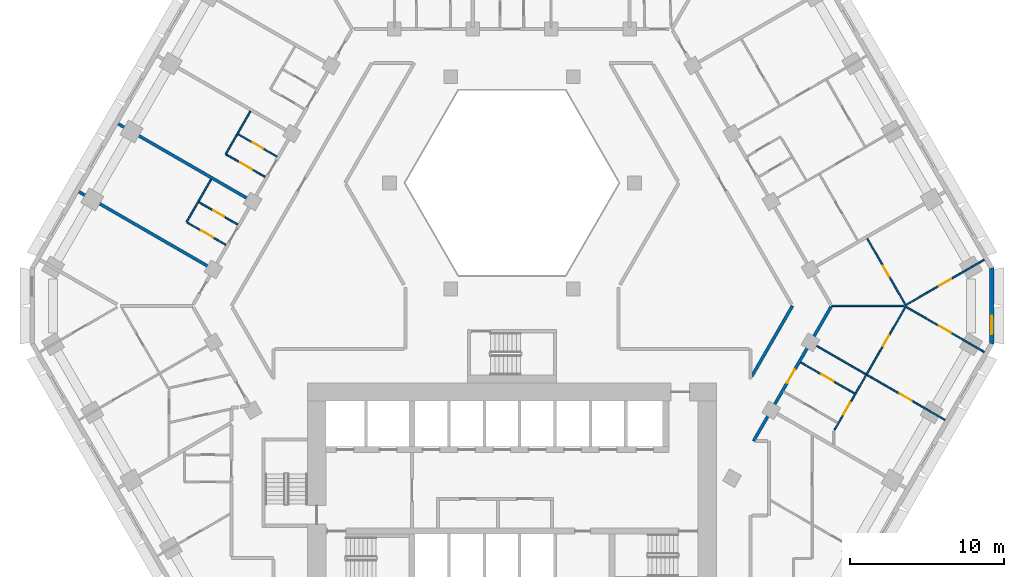
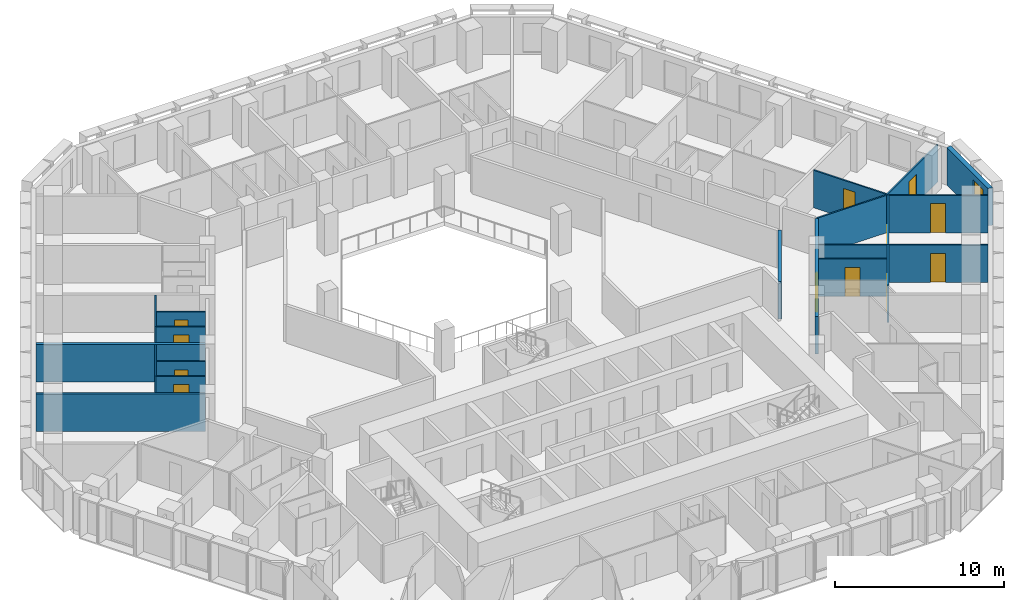
# One storey, part 7 of 16: 19 walls, 12 doors, 1 window, 13 openings.
"""IFC4 building model written with IfcOpenShell, lengths in metres."""

from ifc_helpers import new_model, si_unit, direction, frame, frame_2d, origin, place, context, subcontext, project, spatial, polyline, rectangle, outline, extrude, material, layer, layer_set, type_object, element, fill, save


model = new_model("IFC4")

# Units and contexts
model_context = context("Model", 3, precision=1e-05, world=origin(), true_north=direction((0.0, 1.0)))
body_context = subcontext(model_context, "Body", "Model", "MODEL_VIEW")
ifc_project = project(units=[si_unit("LENGTHUNIT", "METRE"), si_unit("AREAUNIT", "SQUARE_METRE"), si_unit("VOLUMEUNIT", "CUBIC_METRE"), si_unit("PLANEANGLEUNIT", "RADIAN"), si_unit("MASSUNIT", "GRAM", prefix="KILO")], contexts=[model_context])

# Site, building, storey
site_placement = place(None, origin())
site = spatial("IfcSite", under=ifc_project, at=site_placement, CompositionType="ELEMENT")
building_placement = place(site_placement, origin())
building = spatial("IfcBuilding", under=site, at=building_placement, Name="Beryl Residences", CompositionType="ELEMENT")
storey_placement = place(building_placement, frame((0.0, 0.0, 38.39990234375)))
storey = spatial("IfcBuildingStorey", under=building, at=storey_placement, Name="L11", CompositionType="ELEMENT", Elevation=38.39990234375)

# Wall, opening, window
ifc_material_1 = material(Name="Composite metal panel with mineral wool insulation")
ifc_layer_1 = layer(ifc_material_1, 0.300048828125)
ifc_layer_set_1 = layer_set([ifc_layer_1], Name="ES1 pale metal composite panel wall 300 mm")
wall_type_1 = type_object("IfcWallType", Name="ES1 pale metal composite panel wall 300 mm", PredefinedType="SOLIDWALL", material=ifc_layer_set_1)
wall_1_placement = place(storey_placement, frame((31.199951171875, -2.5, 0.0), z_axis=(0.0, 0.0, 1.0), x_axis=(0.0, 1.0, 0.0)))
wall_1 = element("IfcWall", 1, at=wall_1_placement, inside=storey, type_object=wall_type_1, Name="ES1 external wall L11 SE-NE", PredefinedType="SOLIDWALL", context=body_context, shape_type="SweptSolid", body=[
    extrude(outline(polyline([(0.0, -0.14990234375), (5.0, -0.14990234375), (4.919677734375, 0.14990234375), (0.080322265625, 0.14990234375), (0.0, -0.14990234375)])), origin(), (0.0, 0.0, 1.0), 2.7001953125),
])
opening_1_placement = place(wall_1_placement, frame((0.64990234375, 0.0, 0.14990234375)))
opening_1 = element("IfcOpeningElement", 2, at=opening_1_placement, cuts=wall_1, Name="Opening W2", PredefinedType="OPENING", context=body_context, shape_type="SweptSolid", body=[
    extrude(rectangle(XDim=1.199951171875, YDim=2.10009765625, at=frame_2d((0.60009765625, 1.050048828125))), frame((0.0, 0.159912109375, 0.0), z_axis=(0.0, -1.0, 0.0), x_axis=(1.0, 0.0, 0.0)), (0.0, 0.0, 1.0), 0.320068359375),
])
ifc_material_2 = material(Name="Aluminium and clear glass", Category="aluminium")
window_type = type_object("IfcWindowType", Name="W2 chamfer window 1200 x 2100 mm", PartitioningType="SINGLE_PANEL", PredefinedType="WINDOW", material=ifc_material_2)
window_placement = place(opening_1_placement, origin())
window = element("IfcWindow", 3, at=window_placement, inside=storey, type_object=window_type, Name="W2 window L11 SE-NE 1", OverallHeight=2.10009765625, OverallWidth=1.199951171875, PartitioningType="SINGLE_PANEL", PredefinedType="WINDOW", context=body_context, shape_type="SweptSolid", body=[
    extrude(rectangle(XDim=1.199951171875, YDim=2.10009765625, at=frame_2d((0.60009765625, 1.050048828125))), frame((0.0, 0.030029296875, 0.0), z_axis=(0.0, -1.0, 0.0), x_axis=(1.0, 0.0, 0.0)), (0.0, 0.0, 1.0), 0.06005859375),
])
fill(opening_1, window)

# Wall, opening, door
ifc_material_3 = material(Name="Gypsum board partition on steel studs", Category="steel")
ifc_layer_2 = layer(ifc_material_3, 0.10009765625)
ifc_layer_set_2 = layer_set([ifc_layer_2], Name="PT1 partition 100 mm gypsum board on steel studs")
wall_type_2 = type_object("IfcWallType", Name="PT1 partition 100 mm gypsum board on steel studs", PredefinedType="PARTITIONING", material=ifc_layer_set_2)
wall_2_placement = place(storey_placement, frame((23.10302734375, 4.384033203125, 0.0), z_axis=(0.0, 0.0, 1.0), x_axis=(0.500029609304, -0.86600830817, 0.0)))
wall_2 = element("IfcWall", 4, at=wall_2_placement, inside=storey, type_object=wall_type_2, Name="Wall PT1 L11 006", PredefinedType="PARTITIONING", context=body_context, shape_type="SweptSolid", body=[
    extrude(rectangle(XDim=4.953857421875, YDim=0.10009765625, at=frame_2d((2.47705078125, 0.0))), origin(), (0.0, 0.0, 1.0), 2.7001953125),
])
opening_2_placement = place(wall_2_placement, frame((2.052001953125, 0.0, 0.0)))
opening_2 = element("IfcOpeningElement", 5, at=opening_2_placement, cuts=wall_2, Name="Opening D0449", PredefinedType="OPENING", context=body_context, shape_type="SweptSolid", body=[
    extrude(rectangle(XDim=0.800048828125, YDim=2.10009765625, at=frame_2d((0.39990234375, 1.050048828125))), frame((0.0, 0.06005859375, 0.0), z_axis=(0.0, -1.0, 0.0), x_axis=(1.0, 0.0, 0.0)), (0.0, 0.0, 1.0), 0.1201171875),
])
ifc_material_4 = material(Name="Timber door leaf", Category="wood")
door_type_1 = type_object("IfcDoorType", Name="D3 bathroom door 800 x 2100 mm", OperationType="SINGLE_SWING_LEFT", PredefinedType="DOOR", material=ifc_material_4)
door_1_placement = place(opening_2_placement, origin())
door_1 = element("IfcDoor", 6, at=door_1_placement, inside=storey, type_object=door_type_1, Name="Door D0449 L11 001", OperationType="SINGLE_SWING_LEFT", OverallHeight=2.10009765625, OverallWidth=0.800048828125, PredefinedType="DOOR", context=body_context, shape_type="SweptSolid", body=[
    extrude(rectangle(XDim=0.800048828125, YDim=2.10009765625, at=frame_2d((0.39990234375, 1.050048828125))), frame((0.0, 0.02490234375, 0.0), z_axis=(0.0, -1.0, 0.0), x_axis=(1.0, 0.0, 0.0)), (0.0, 0.0, 1.0), 0.050048828125),
])
fill(opening_2, door_1)

wall_3_placement = place(storey_placement, frame((-20.364013671875, 6.7470703125, 0.0), z_axis=(0.0, 0.0, 1.0), x_axis=(0.866003949776, -0.500037157592, 0.0)))
wall_3 = element("IfcWall", 7, at=wall_3_placement, inside=storey, type_object=wall_type_2, Name="Wall PT1 L11 015", PredefinedType="PARTITIONING", context=body_context, shape_type="SweptSolid", body=[
    extrude(rectangle(XDim=2.909912109375, YDim=0.10009765625, at=frame_2d((1.455078125, 0.0))), origin(), (0.0, 0.0, 1.0), 2.7001953125),
])
opening_3_placement = place(wall_3_placement, frame((1.080078125, 0.0, 0.0)))
opening_3 = element("IfcOpeningElement", 8, at=opening_3_placement, cuts=wall_3, Name="Opening D0410", PredefinedType="OPENING", context=body_context, shape_type="SweptSolid", body=[
    extrude(rectangle(XDim=0.800048828125, YDim=2.10009765625, at=frame_2d((0.39990234375, 1.050048828125))), frame((0.0, 0.06005859375, 0.0), z_axis=(0.0, -1.0, 0.0), x_axis=(1.0, 0.0, 0.0)), (0.0, 0.0, 1.0), 0.1201171875),
])
door_2_placement = place(opening_3_placement, origin())
door_2 = element("IfcDoor", 9, at=door_2_placement, inside=storey, type_object=door_type_1, Name="Door D0410 L11 001", OperationType="SINGLE_SWING_RIGHT", OverallHeight=2.10009765625, OverallWidth=0.800048828125, PredefinedType="DOOR", context=body_context, shape_type="SweptSolid", body=[
    extrude(rectangle(XDim=0.800048828125, YDim=2.10009765625, at=frame_2d((0.39990234375, 1.050048828125))), frame((0.0, 0.02490234375, 0.0), z_axis=(0.0, -1.0, 0.0), x_axis=(1.0, 0.0, 0.0)), (0.0, 0.0, 1.0), 0.050048828125),
])
fill(opening_3, door_2)

wall_4_placement = place(storey_placement, frame((-21.12890625, 5.4208984375, 0.0), z_axis=(0.0, 0.0, 1.0), x_axis=(0.865935355752, -0.500155935342, 0.0)))
wall_4 = element("IfcWall", 10, at=wall_4_placement, inside=storey, type_object=wall_type_2, Name="Wall PT1 L11 016", PredefinedType="PARTITIONING", context=body_context, shape_type="SweptSolid", body=[
    extrude(rectangle(XDim=2.90869140625, YDim=0.10009765625, at=frame_2d((1.454345703125, 0.0))), origin(), (0.0, 0.0, 1.0), 2.7001953125),
])
opening_4_placement = place(wall_4_placement, frame((1.029052734375, 0.0, 0.0)))
opening_4 = element("IfcOpeningElement", 11, at=opening_4_placement, cuts=wall_4, Name="Opening D0409", PredefinedType="OPENING", context=body_context, shape_type="SweptSolid", body=[
    extrude(rectangle(XDim=0.89990234375, YDim=2.10009765625, at=frame_2d((0.449951171875, 1.050048828125))), frame((0.0, 0.06005859375, 0.0), z_axis=(0.0, -1.0, 0.0), x_axis=(1.0, 0.0, 0.0)), (0.0, 0.0, 1.0), 0.1201171875),
])
ifc_material_5 = material(Name="Timber door leaf", Category="wood")
door_type_2 = type_object("IfcDoorType", Name="D2 room door 900 x 2100 mm", OperationType="SINGLE_SWING_LEFT", PredefinedType="DOOR", material=ifc_material_5)
door_3_placement = place(opening_4_placement, origin())
door_3 = element("IfcDoor", 12, at=door_3_placement, inside=storey, type_object=door_type_2, Name="Door D0409 L11 001", OperationType="SINGLE_SWING_LEFT", OverallHeight=2.10009765625, OverallWidth=0.89990234375, PredefinedType="DOOR", context=body_context, shape_type="SweptSolid", body=[
    extrude(rectangle(XDim=0.89990234375, YDim=2.10009765625, at=frame_2d((0.449951171875, 1.050048828125))), frame((0.0, 0.02490234375, 0.0), z_axis=(0.0, -1.0, 0.0), x_axis=(1.0, 0.0, 0.0)), (0.0, 0.0, 1.0), 0.050048828125),
])
fill(opening_4, door_3)

wall_5_placement = place(storey_placement, frame((-18.576904296875, 9.841064453125, 0.0), z_axis=(0.0, 0.0, 1.0), x_axis=(0.865899003441, -0.500218867937, 0.0)))
wall_5 = element("IfcWall", 13, at=wall_5_placement, inside=storey, type_object=wall_type_2, Name="Wall PT1 L11 018", PredefinedType="PARTITIONING", context=body_context, shape_type="SweptSolid", body=[
    extrude(rectangle(XDim=2.908935546875, YDim=0.10009765625, at=frame_2d((1.45458984375, 0.0))), origin(), (0.0, 0.0, 1.0), 2.7001953125),
])
opening_5_placement = place(wall_5_placement, frame((1.029052734375, 0.0, 0.0)))
opening_5 = element("IfcOpeningElement", 14, at=opening_5_placement, cuts=wall_5, Name="Opening D0406", PredefinedType="OPENING", context=body_context, shape_type="SweptSolid", body=[
    extrude(rectangle(XDim=0.89990234375, YDim=2.10009765625, at=frame_2d((0.449951171875, 1.050048828125))), frame((0.0, 0.06005859375, 0.0), z_axis=(0.0, -1.0, 0.0), x_axis=(1.0, 0.0, 0.0)), (0.0, 0.0, 1.0), 0.1201171875),
])
door_4_placement = place(opening_5_placement, origin())
door_4 = element("IfcDoor", 15, at=door_4_placement, inside=storey, type_object=door_type_2, Name="Door D0406 L11 001", OperationType="SINGLE_SWING_RIGHT", OverallHeight=2.10009765625, OverallWidth=0.89990234375, PredefinedType="DOOR", context=body_context, shape_type="SweptSolid", body=[
    extrude(rectangle(XDim=0.89990234375, YDim=2.10009765625, at=frame_2d((0.449951171875, 1.050048828125))), frame((0.0, 0.02490234375, 0.0), z_axis=(0.0, -1.0, 0.0), x_axis=(1.0, 0.0, 0.0)), (0.0, 0.0, 1.0), 0.050048828125),
])
fill(opening_5, door_4)

wall_6_placement = place(storey_placement, frame((18.777099609375, -3.677001953125, 0.0), z_axis=(0.0, 0.0, 1.0), x_axis=(0.866000843773, -0.500042536776, 0.0)))
wall_6 = element("IfcWall", 16, at=wall_6_placement, inside=storey, type_object=wall_type_2, Name="Wall PT1 L11 023", PredefinedType="PARTITIONING", context=body_context, shape_type="SweptSolid", body=[
    extrude(rectangle(XDim=4.049560546875, YDim=0.10009765625, at=frame_2d((2.02490234375, 0.0))), origin(), (0.0, 0.0, 1.0), 2.7001953125),
])
opening_6_placement = place(wall_6_placement, frame((1.550048828125, 0.0, 0.0)))
opening_6 = element("IfcOpeningElement", 17, at=opening_6_placement, cuts=wall_6, Name="Opening D0443", PredefinedType="OPENING", context=body_context, shape_type="SweptSolid", body=[
    extrude(rectangle(XDim=0.89990234375, YDim=2.10009765625, at=frame_2d((0.449951171875, 1.050048828125))), frame((0.0, 0.06005859375, 0.0), z_axis=(0.0, -1.0, 0.0), x_axis=(1.0, 0.0, 0.0)), (0.0, 0.0, 1.0), 0.1201171875),
])
door_5_placement = place(opening_6_placement, origin())
door_5 = element("IfcDoor", 18, at=door_5_placement, inside=storey, type_object=door_type_2, Name="Door D0443 L11 001", OperationType="SINGLE_SWING_LEFT", OverallHeight=2.10009765625, OverallWidth=0.89990234375, PredefinedType="DOOR", context=body_context, shape_type="SweptSolid", body=[
    extrude(rectangle(XDim=0.89990234375, YDim=2.10009765625, at=frame_2d((0.449951171875, 1.050048828125))), frame((0.0, 0.02490234375, 0.0), z_axis=(0.0, -1.0, 0.0), x_axis=(1.0, 0.0, 0.0)), (0.0, 0.0, 1.0), 0.050048828125),
])
fill(opening_6, door_5)

wall_7_placement = place(storey_placement, frame((-17.81298828125, 11.1669921875, 0.0), z_axis=(0.0, 0.0, 1.0), x_axis=(0.866087824531, -0.499891868507, 0.0)))
wall_7 = element("IfcWall", 19, at=wall_7_placement, inside=storey, type_object=wall_type_2, Name="Wall PT1 L11 024", PredefinedType="PARTITIONING", context=body_context, shape_type="SweptSolid", body=[
    extrude(rectangle(XDim=2.910888671875, YDim=0.10009765625, at=frame_2d((1.45556640625, 0.0))), origin(), (0.0, 0.0, 1.0), 2.7001953125),
])
opening_7_placement = place(wall_7_placement, frame((1.080078125, 0.0, 0.0)))
opening_7 = element("IfcOpeningElement", 20, at=opening_7_placement, cuts=wall_7, Name="Opening D0407", PredefinedType="OPENING", context=body_context, shape_type="SweptSolid", body=[
    extrude(rectangle(XDim=0.800048828125, YDim=2.10009765625, at=frame_2d((0.39990234375, 1.050048828125))), frame((0.0, 0.06005859375, 0.0), z_axis=(0.0, -1.0, 0.0), x_axis=(1.0, 0.0, 0.0)), (0.0, 0.0, 1.0), 0.1201171875),
])
door_6_placement = place(opening_7_placement, origin())
door_6 = element("IfcDoor", 21, at=door_6_placement, inside=storey, type_object=door_type_1, Name="Door D0407 L11 001", OperationType="SINGLE_SWING_LEFT", OverallHeight=2.10009765625, OverallWidth=0.800048828125, PredefinedType="DOOR", context=body_context, shape_type="SweptSolid", body=[
    extrude(rectangle(XDim=0.800048828125, YDim=2.10009765625, at=frame_2d((0.39990234375, 1.050048828125))), frame((0.0, 0.02490234375, 0.0), z_axis=(0.0, -1.0, 0.0), x_axis=(1.0, 0.0, 0.0)), (0.0, 0.0, 1.0), 0.050048828125),
])
fill(opening_7, door_6)

wall_8_placement = place(storey_placement, frame((19.5029296875, -2.4189453125, 0.0), z_axis=(0.0, 0.0, 1.0), x_axis=(0.866047370643, -0.499961950354, 0.0)))
wall_8 = element("IfcWall", 22, at=wall_8_placement, inside=storey, type_object=wall_type_2, Name="Wall PT1 L11 025", PredefinedType="PARTITIONING", context=body_context, shape_type="SweptSolid", body=[
    extrude(rectangle(XDim=10.000732421875, YDim=0.10009765625, at=frame_2d((5.00048828125, 0.0))), origin(), (0.0, 0.0, 1.0), 2.7001953125),
])
opening_8_placement = place(wall_8_placement, frame((6.60009765625, 0.0, 0.0)))
opening_8 = element("IfcOpeningElement", 23, at=opening_8_placement, cuts=wall_8, Name="Opening D0445", PredefinedType="OPENING", context=body_context, shape_type="SweptSolid", body=[
    extrude(rectangle(XDim=0.89990234375, YDim=2.10009765625, at=frame_2d((0.449951171875, 1.050048828125))), frame((0.0, 0.06005859375, 0.0), z_axis=(0.0, -1.0, 0.0), x_axis=(1.0, 0.0, 0.0)), (0.0, 0.0, 1.0), 0.1201171875),
])
door_7_placement = place(opening_8_placement, origin())
door_7 = element("IfcDoor", 24, at=door_7_placement, inside=storey, type_object=door_type_2, Name="Door D0445 L11 001", OperationType="SINGLE_SWING_LEFT", OverallHeight=2.10009765625, OverallWidth=0.89990234375, PredefinedType="DOOR", context=body_context, shape_type="SweptSolid", body=[
    extrude(rectangle(XDim=0.89990234375, YDim=2.10009765625, at=frame_2d((0.449951171875, 1.050048828125))), frame((0.0, 0.02490234375, 0.0), z_axis=(0.0, -1.0, 0.0), x_axis=(1.0, 0.0, 0.0)), (0.0, 0.0, 1.0), 0.050048828125),
])
fill(opening_8, door_7)

wall_9_placement = place(storey_placement, frame((25.64892578125, -0.073974609375, 0.0), z_axis=(0.0, 0.0, 1.0), x_axis=(0.866059819573, -0.499940385368, 0.0)))
wall_9 = element("IfcWall", 25, at=wall_9_placement, inside=storey, type_object=wall_type_2, Name="Wall PT1 L11 026", PredefinedType="PARTITIONING", context=body_context, shape_type="SweptSolid", body=[
    extrude(rectangle(XDim=5.850830078125, YDim=0.10009765625, at=frame_2d((2.92529296875, 0.0))), origin(), (0.0, 0.0, 1.0), 2.7001953125),
])
opening_9_placement = place(wall_9_placement, frame((2.449951171875, 0.0, 0.0)))
opening_9 = element("IfcOpeningElement", 26, at=opening_9_placement, cuts=wall_9, Name="Opening D0446", PredefinedType="OPENING", context=body_context, shape_type="SweptSolid", body=[
    extrude(rectangle(XDim=0.89990234375, YDim=2.10009765625, at=frame_2d((0.449951171875, 1.050048828125))), frame((0.0, 0.06005859375, 0.0), z_axis=(0.0, -1.0, 0.0), x_axis=(1.0, 0.0, 0.0)), (0.0, 0.0, 1.0), 0.1201171875),
])
door_8_placement = place(opening_9_placement, origin())
door_8 = element("IfcDoor", 27, at=door_8_placement, inside=storey, type_object=door_type_2, Name="Door D0446 L11 001", OperationType="SINGLE_SWING_RIGHT", OverallHeight=2.10009765625, OverallWidth=0.89990234375, PredefinedType="DOOR", context=body_context, shape_type="SweptSolid", body=[
    extrude(rectangle(XDim=0.89990234375, YDim=2.10009765625, at=frame_2d((0.449951171875, 1.050048828125))), frame((0.0, 0.02490234375, 0.0), z_axis=(0.0, -1.0, 0.0), x_axis=(1.0, 0.0, 0.0)), (0.0, 0.0, 1.0), 0.050048828125),
])
fill(opening_9, door_8)

# Wall
wall_10_placement = place(storey_placement, frame((20.783935546875, 0.0009765625, 0.0), z_axis=(0.0, 0.0, 1.0), x_axis=(1.0, 0.0, 0.0)))
element("IfcWall", 28, at=wall_10_placement, inside=storey, type_object=wall_type_2, Name="Wall PT1 L11 034", PredefinedType="PARTITIONING", context=body_context, shape_type="SweptSolid", body=[
    extrude(rectangle(XDim=4.736083984375, YDim=0.10009765625, at=frame_2d((2.3681640625, 0.0))), origin(), (0.0, 0.0, 1.0), 2.7001953125),
])

# Wall, opening, door
wall_11_placement = place(storey_placement, frame((20.97802734375, -8.06494140625, 0.0), z_axis=(0.0, 0.0, 1.0), x_axis=(0.499965068118, 0.866045570776, 0.0)))
wall_11 = element("IfcWall", 29, at=wall_11_placement, inside=storey, type_object=wall_type_2, Name="Wall PT1 L11 040", PredefinedType="PARTITIONING", context=body_context, shape_type="SweptSolid", body=[
    extrude(rectangle(XDim=4.152099609375, YDim=0.10009765625, at=frame_2d((2.076171875, 0.0))), origin(), (0.0, 0.0, 1.0), 2.7001953125),
])
opening_10_placement = place(wall_11_placement, frame((1.14990234375, 0.0, 0.0)))
opening_10 = element("IfcOpeningElement", 30, at=opening_10_placement, cuts=wall_11, Name="Opening D0444", PredefinedType="OPENING", context=body_context, shape_type="SweptSolid", body=[
    extrude(rectangle(XDim=0.89990234375, YDim=2.10009765625, at=frame_2d((0.449951171875, 1.050048828125))), frame((0.0, 0.06005859375, 0.0), z_axis=(0.0, -1.0, 0.0), x_axis=(1.0, 0.0, 0.0)), (0.0, 0.0, 1.0), 0.1201171875),
])
door_9_placement = place(opening_10_placement, origin())
door_9 = element("IfcDoor", 31, at=door_9_placement, inside=storey, type_object=door_type_2, Name="Door D0444 L11 001", OperationType="SINGLE_SWING_RIGHT", OverallHeight=2.10009765625, OverallWidth=0.89990234375, PredefinedType="DOOR", context=body_context, shape_type="SweptSolid", body=[
    extrude(rectangle(XDim=0.89990234375, YDim=2.10009765625, at=frame_2d((0.449951171875, 1.050048828125))), frame((0.0, 0.02490234375, 0.0), z_axis=(0.0, -1.0, 0.0), x_axis=(1.0, 0.0, 0.0)), (0.0, 0.0, 1.0), 0.050048828125),
])
fill(opening_10, door_9)

# Walls
wall_12_placement = place(storey_placement, frame((-21.173095703125, 5.447021484375, 0.0), z_axis=(0.0, 0.0, 1.0), x_axis=(0.500162542782, 0.865931539325, 0.0)))
element("IfcWall", 32, at=wall_12_placement, inside=storey, type_object=wall_type_2, Name="Wall PT1 L11 042", PredefinedType="PARTITIONING", context=body_context, shape_type="SweptSolid", body=[
    extrude(rectangle(XDim=3.21728515625, YDim=0.10009765625, at=frame_2d((1.608642578125, 0.0))), origin(), (0.0, 0.0, 1.0), 2.7001953125),
])
wall_13_placement = place(storey_placement, frame((-18.62109375, 9.866943359375, 0.0), z_axis=(0.0, 0.0, 1.0), x_axis=(0.500197891286, 0.865911121047, 0.0)))
element("IfcWall", 33, at=wall_13_placement, inside=storey, type_object=wall_type_2, Name="Wall PT1 L11 043", PredefinedType="PARTITIONING", context=body_context, shape_type="SweptSolid", body=[
    extrude(rectangle(XDim=3.215087890625, YDim=0.10009765625, at=frame_2d((1.607421875, 0.0))), origin(), (0.0, 0.0, 1.0), 2.7001953125),
])

# Wall, opening, door
wall_14_placement = place(storey_placement, frame((25.587890625, 0.041015625, 0.0), z_axis=(0.0, 0.0, 1.0), x_axis=(0.866113484451, 0.499847408768, 0.0)))
wall_14 = element("IfcWall", 34, at=wall_14_placement, inside=storey, type_object=wall_type_2, Name="Wall PT1 L11 063", PredefinedType="PARTITIONING", context=body_context, shape_type="SweptSolid", body=[
    extrude(rectangle(XDim=5.919677734375, YDim=0.10009765625, at=frame_2d((2.9599609375, 0.0))), origin(), (0.0, 0.0, 1.0), 2.7001953125),
])
opening_11_placement = place(wall_14_placement, frame((2.510009765625, 0.0, 0.0)))
opening_11 = element("IfcOpeningElement", 35, at=opening_11_placement, cuts=wall_14, Name="Opening D0447", PredefinedType="OPENING", context=body_context, shape_type="SweptSolid", body=[
    extrude(rectangle(XDim=0.89990234375, YDim=2.10009765625, at=frame_2d((0.449951171875, 1.050048828125))), frame((0.0, 0.06005859375, 0.0), z_axis=(0.0, -1.0, 0.0), x_axis=(1.0, 0.0, 0.0)), (0.0, 0.0, 1.0), 0.1201171875),
])
door_10_placement = place(opening_11_placement, origin())
door_10 = element("IfcDoor", 36, at=door_10_placement, inside=storey, type_object=door_type_2, Name="Door D0447 L11 001", OperationType="SINGLE_SWING_LEFT", OverallHeight=2.10009765625, OverallWidth=0.89990234375, PredefinedType="DOOR", context=body_context, shape_type="SweptSolid", body=[
    extrude(rectangle(XDim=0.89990234375, YDim=2.10009765625, at=frame_2d((0.449951171875, 1.050048828125))), frame((0.0, 0.02490234375, 0.0), z_axis=(0.0, -1.0, 0.0), x_axis=(1.0, 0.0, 0.0)), (0.0, 0.0, 1.0), 0.050048828125),
])
fill(opening_11, door_10)

wall_15_placement = place(storey_placement, frame((23.053955078125, -4.468994140625, 0.0), z_axis=(0.0, 0.0, 1.0), x_axis=(0.500023345639, 0.866011924754, 0.0)))
wall_15 = element("IfcWall", 37, at=wall_15_placement, inside=storey, type_object=wall_type_2, Name="Wall PT1 L11 074", PredefinedType="PARTITIONING", context=body_context, shape_type="SweptSolid", body=[
    extrude(rectangle(XDim=5.103759765625, YDim=0.10009765625, at=frame_2d((2.5517578125, 0.0))), origin(), (0.0, 0.0, 1.0), 2.7001953125),
])
opening_12_placement = place(wall_15_placement, frame((2.152099609375, 0.0, 0.0)))
opening_12 = element("IfcOpeningElement", 38, at=opening_12_placement, cuts=wall_15, Name="Opening D0448", PredefinedType="OPENING", context=body_context, shape_type="SweptSolid", body=[
    extrude(rectangle(XDim=0.800048828125, YDim=2.10009765625, at=frame_2d((0.39990234375, 1.050048828125))), frame((0.0, 0.06005859375, 0.0), z_axis=(0.0, -1.0, 0.0), x_axis=(1.0, 0.0, 0.0)), (0.0, 0.0, 1.0), 0.1201171875),
])
door_11_placement = place(opening_12_placement, origin())
door_11 = element("IfcDoor", 39, at=door_11_placement, inside=storey, type_object=door_type_1, Name="Door D0448 L11 001", OperationType="SINGLE_SWING_RIGHT", OverallHeight=2.10009765625, OverallWidth=0.800048828125, PredefinedType="DOOR", context=body_context, shape_type="SweptSolid", body=[
    extrude(rectangle(XDim=0.800048828125, YDim=2.10009765625, at=frame_2d((0.39990234375, 1.050048828125))), frame((0.0, 0.02490234375, 0.0), z_axis=(0.0, -1.0, 0.0), x_axis=(1.0, 0.0, 0.0)), (0.0, 0.0, 1.0), 0.050048828125),
])
fill(opening_12, door_11)

# Walls
ifc_material_6 = material(Name="Acoustic double stud gypsum board wall")
ifc_layer_3 = layer(ifc_material_6, 0.199951171875)
ifc_layer_set_3 = layer_set([ifc_layer_3], Name="PT3 party wall 200 mm acoustic double stud")
wall_type_3 = type_object("IfcWallType", Name="PT3 party wall 200 mm acoustic double stud", PredefinedType="PARTITIONING", material=ifc_layer_set_3)
for number, where, z_axis, x_axis, name in (
    (40, (-28.1630859375, 7.4189453125, 0.0), (0.0, 0.0, 1.0), (0.866022959057, -0.500004234368, 0.0), "Wall PT3 L11 005"),
    (41, (-25.611083984375, 11.839111328125, 0.0), (0.0, 0.0, 1.0), (0.866022959057, -0.500004234368, 0.0), "Wall PT3 L11 007"),
):
    element("IfcWall", number, at=place(storey_placement, frame(where, z_axis=z_axis, x_axis=x_axis)), inside=storey, type_object=wall_type_3, Name=name, PredefinedType="PARTITIONING", context=body_context, shape_type="SweptSolid", body=[
        extrude(rectangle(XDim=10.0, YDim=0.199951171875, at=frame_2d((5.0, 0.0))), origin(), (0.0, 0.0, 1.0), 2.7001953125),
    ])
ifc_material_7 = material(Name="Double stud gypsum board wall")
ifc_layer_4 = layer(ifc_material_7, 0.199951171875)
ifc_layer_set_4 = layer_set([ifc_layer_4], Name="PT4 corridor wall 200 mm double stud")
wall_type_4 = type_object("IfcWallType", Name="PT4 corridor wall 200 mm double stud", PredefinedType="PARTITIONING", material=ifc_layer_set_4)
wall_16_placement = place(storey_placement, frame((15.60009765625, -4.5791015625, 0.0), z_axis=(0.0, 0.0, 1.0), x_axis=(0.499927597274, 0.866067201483, 0.0)))
element("IfcWall", 42, at=wall_16_placement, inside=storey, type_object=wall_type_4, Name="Wall PT4 L11 020", PredefinedType="PARTITIONING", context=body_context, shape_type="SweptSolid", body=[
    extrude(rectangle(XDim=5.288330078125, YDim=0.199951171875, at=frame_2d((2.64404296875, 0.0))), origin(), (0.0, 0.0, 1.0), 2.7001953125),
])

# Wall, opening, door
wall_17_placement = place(storey_placement, frame((15.70703125, -8.7939453125, 0.0), z_axis=(0.0, 0.0, 1.0), x_axis=(0.500016151272, 0.866016078642, 0.0)))
wall_17 = element("IfcWall", 43, at=wall_17_placement, inside=storey, type_object=wall_type_4, Name="Wall PT4 L11 021", PredefinedType="PARTITIONING", context=body_context, shape_type="SweptSolid", body=[
    extrude(rectangle(XDim=10.097900390625, YDim=0.199951171875, at=frame_2d((5.048828125, 0.0))), origin(), (0.0, 0.0, 1.0), 2.7001953125),
])
opening_13_placement = place(wall_17_placement, frame((4.366943359375, 0.0, 0.0)))
opening_13 = element("IfcOpeningElement", 44, at=opening_13_placement, cuts=wall_17, Name="Opening D0441", PredefinedType="OPENING", context=body_context, shape_type="SweptSolid", body=[
    extrude(rectangle(XDim=1.0, YDim=2.10009765625, at=frame_2d((0.5, 1.050048828125))), frame((0.0, 0.10986328125, 0.0), z_axis=(0.0, -1.0, 0.0), x_axis=(1.0, 0.0, 0.0)), (0.0, 0.0, 1.0), 0.219970703125),
])
ifc_material_8 = material(Name="Timber door leaf", Category="wood")
door_type_3 = type_object("IfcDoorType", Name="D1 flat entrance door 1000 x 2100 mm", OperationType="SINGLE_SWING_LEFT", PredefinedType="DOOR", material=ifc_material_8)
door_12_placement = place(opening_13_placement, origin())
door_12 = element("IfcDoor", 45, at=door_12_placement, inside=storey, type_object=door_type_3, Name="Door D0441 L11 001", OperationType="SINGLE_SWING_LEFT", OverallHeight=2.10009765625, OverallWidth=1.0, PredefinedType="DOOR", context=body_context, shape_type="SweptSolid", body=[
    extrude(rectangle(XDim=1.0, YDim=2.10009765625, at=frame_2d((0.5, 1.050048828125))), frame((0.0, 0.02490234375, 0.0), z_axis=(0.0, -1.0, 0.0), x_axis=(1.0, 0.0, 0.0)), (0.0, 0.0, 1.0), 0.050048828125),
])
fill(opening_13, door_12)

save(model, "model.ifc")
